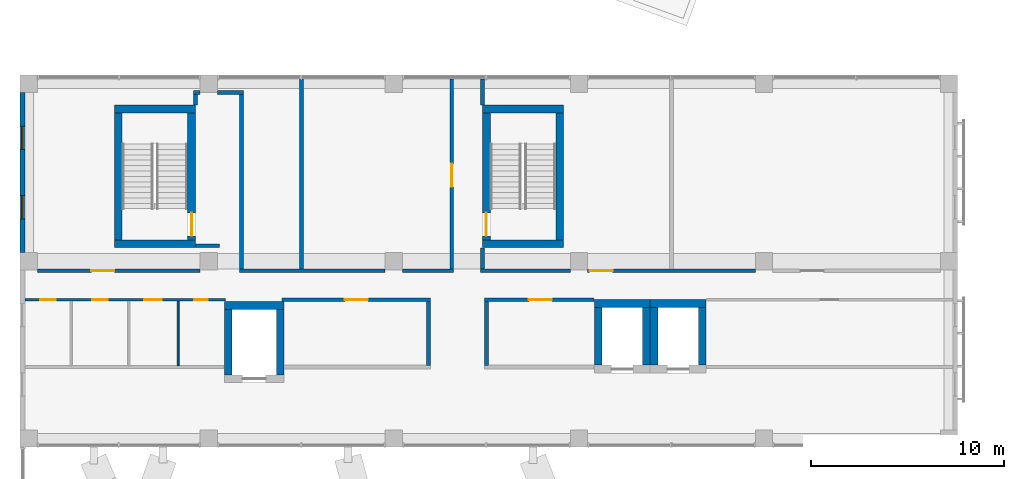
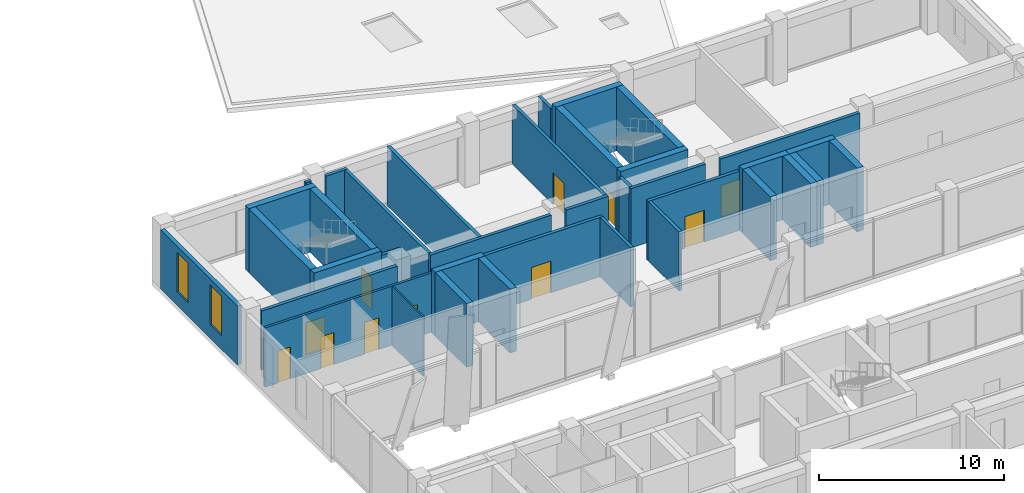
# One storey, part 28 of 36: 38 walls, 11 doors, 2 windows, 13 openings.
"""IFC4 building model written with IfcOpenShell, lengths in metres."""

from ifc_helpers import new_model, si_unit, direction, frame, frame_2d, origin, place, context, subcontext, project, spatial, rectangle, extrude, material, layer, layer_set, layer_usage, type_object, element, fill, save


model = new_model("IFC4")

# Units and contexts
model_context = context("Model", 3, precision=1e-05, world=origin(), true_north=direction((0.0, 1.0)))
body_context = subcontext(model_context, "Body", "Model", "MODEL_VIEW")
ifc_project = project(units=[si_unit("LENGTHUNIT", "METRE"), si_unit("AREAUNIT", "SQUARE_METRE"), si_unit("VOLUMEUNIT", "CUBIC_METRE"), si_unit("PLANEANGLEUNIT", "RADIAN"), si_unit("MASSUNIT", "GRAM", prefix="KILO")], contexts=[model_context])

# Site, building, storey
site_placement = place(None, origin())
site = spatial("IfcSite", under=ifc_project, at=site_placement, CompositionType="ELEMENT")
building_placement = place(site_placement, origin())
building = spatial("IfcBuilding", under=site, at=building_placement, Name="Nzadi Deep Aquarium and Research Tower", CompositionType="ELEMENT")
storey_placement = place(building_placement, frame((0.0, 0.0, 40.300048828125)))
storey = spatial("IfcBuildingStorey", under=building, at=storey_placement, Name="L07", CompositionType="ELEMENT", Elevation=40.300048828125)

# Wall, openings, windows
ifc_material_1 = material(Name="Concrete C35/45", Category="concrete")
ifc_layer_1 = layer(ifc_material_1, 0.14990234375, Category="cladding")
ifc_material_2 = material(Name="Mineral wool insulation")
ifc_layer_2 = layer(ifc_material_2, 0.070068359375, Category="insulation")
ifc_material_3 = material(Name="Gypsum board lining")
ifc_layer_3 = layer(ifc_material_3, 0.030029296875, Category="lining")
ifc_layer_set_1 = layer_set([ifc_layer_1, ifc_layer_2, ifc_layer_3], Name="Concrete C35/45, Mineral wool insulation, Gypsum board lining")
ifc_layer_usage = layer_usage(ifc_layer_set_1, "AXIS2", "POSITIVE", -0.125)
wall_type_1 = type_object("IfcWallType", Name="End wall board-formed concrete 250", PredefinedType="ELEMENTEDWALL", material=ifc_layer_set_1)
wall_1_placement = place(storey_placement, frame((-0.074462890625, 45.550048828125, 0.0), z_axis=(0.0, 0.0, 1.0), x_axis=(0.0, -1.0, 0.0)))
wall_1 = element("IfcWall", 1, at=wall_1_placement, inside=storey, type_object=wall_type_1, material=ifc_layer_usage, Name="End wall blade B west L07", PredefinedType="ELEMENTEDWALL", context=body_context, shape_type="SweptSolid", body=[
    extrude(rectangle(XDim=8.300048828125, YDim=0.25, at=frame_2d((4.14990234375, 0.0))), origin(), (0.0, 0.0, 1.0), 3.89990234375),
])
opening_1_placement = place(wall_1_placement, frame((5.35009765625, 0.0, 0.89990234375)))
opening_1 = element("IfcOpeningElement", 2, at=opening_1_placement, cuts=wall_1, Name="Opening WN04", PredefinedType="OPENING", context=body_context, shape_type="SweptSolid", body=[
    extrude(rectangle(XDim=1.199951171875, YDim=2.60009765625, at=frame_2d((0.60009765625, 1.300048828125))), frame((0.0, 0.135009765625, 0.0), z_axis=(0.0, -1.0, 0.0), x_axis=(1.0, 0.0, 0.0)), (0.0, 0.0, 1.0), 0.27001953125),
])
opening_2_placement = place(wall_1_placement, frame((1.75, 0.0, 0.89990234375)))
opening_2 = element("IfcOpeningElement", 3, at=opening_2_placement, cuts=wall_1, Name="Opening WN04", PredefinedType="OPENING", context=body_context, shape_type="SweptSolid", body=[
    extrude(rectangle(XDim=1.199951171875, YDim=2.60009765625, at=frame_2d((0.60009765625, 1.300048828125))), frame((0.0, 0.135009765625, 0.0), z_axis=(0.0, -1.0, 0.0), x_axis=(1.0, 0.0, 0.0)), (0.0, 0.0, 1.0), 0.27001953125),
])
ifc_material_4 = material(Name="Aluminium window, sage tint glazing", Category="aluminium")
window_type = type_object("IfcWindowType", Name="Slot window 1200x2600 sill 900", PartitioningType="SINGLE_PANEL", PredefinedType="WINDOW", material=ifc_material_4)
window_1_placement = place(opening_1_placement, origin())
window_1 = element("IfcWindow", 4, at=window_1_placement, inside=storey, type_object=window_type, Name="Slot window L07 BW", OverallHeight=2.60009765625, OverallWidth=1.199951171875, PartitioningType="SINGLE_PANEL", PredefinedType="WINDOW", context=body_context, shape_type="SweptSolid", body=[
    extrude(rectangle(XDim=1.199951171875, YDim=2.60009765625, at=frame_2d((0.60009765625, 1.300048828125))), frame((0.0, 0.030029296875, 0.0), z_axis=(0.0, -1.0, 0.0), x_axis=(1.0, 0.0, 0.0)), (0.0, 0.0, 1.0), 0.06005859375),
])
fill(opening_1, window_1)
window_2_placement = place(opening_2_placement, origin())
window_2 = element("IfcWindow", 5, at=window_2_placement, inside=storey, type_object=window_type, Name="Slot window L07 BW", OverallHeight=2.60009765625, OverallWidth=1.199951171875, PartitioningType="SINGLE_PANEL", PredefinedType="WINDOW", context=body_context, shape_type="SweptSolid", body=[
    extrude(rectangle(XDim=1.199951171875, YDim=2.60009765625, at=frame_2d((0.60009765625, 1.300048828125))), frame((0.0, 0.030029296875, 0.0), z_axis=(0.0, -1.0, 0.0), x_axis=(1.0, 0.0, 0.0)), (0.0, 0.0, 1.0), 0.06005859375),
])
fill(opening_2, window_2)

# Wall
ifc_material_5 = material(Name="Blockwork masonry", Category="masonry")
ifc_layer_4 = layer(ifc_material_5, 0.10009765625)
ifc_layer_set_2 = layer_set([ifc_layer_4], Name="Blockwork masonry")
wall_type_2 = type_object("IfcWallType", Name="Partition 100 EI 30", PredefinedType="PARTITIONING", material=ifc_layer_set_2)
wall_2_placement = place(storey_placement, frame((8.0, 31.375, 0.0), z_axis=(0.0, 0.0, 1.0), x_axis=(0.0, 1.0, 0.0)))
element("IfcWall", 6, at=wall_2_placement, inside=storey, type_object=wall_type_2, Name="W-Z1-L07-P011", PredefinedType="PARTITIONING", context=body_context, shape_type="SweptSolid", body=[
    extrude(rectangle(XDim=3.35009765625, YDim=0.10009765625, at=frame_2d((1.675048828125, 0.0))), origin(), (0.0, 0.0, 1.0), 3.89990234375),
])

# Wall, openings, doors
ifc_material_6 = material(Name="Blockwork masonry", Category="masonry")
ifc_layer_5 = layer(ifc_material_6, 0.14990234375)
ifc_layer_set_3 = layer_set([ifc_layer_5], Name="Blockwork masonry")
wall_type_3 = type_object("IfcWallType", Name="Partition 150 EI 60", PredefinedType="PARTITIONING", material=ifc_layer_set_3)
wall_3_placement = place(storey_placement, frame((0.055908203125, 34.800048828125, 0.0), z_axis=(0.0, 0.0, 1.0), x_axis=(1.0, 0.0, 0.0)))
wall_3 = element("IfcWall", 7, at=wall_3_placement, inside=storey, type_object=wall_type_3, Name="W-Z1-L07-P002", PredefinedType="PARTITIONING", context=body_context, shape_type="SweptSolid", body=[
    extrude(rectangle(XDim=10.419189453125, YDim=0.14990234375, at=frame_2d((5.20947265625, 0.0))), origin(), (0.0, 0.0, 1.0), 3.89990234375),
])
opening_3_placement = place(wall_3_placement, frame((0.7939453125, 0.0, 0.0)))
opening_3 = element("IfcOpeningElement", 8, at=opening_3_placement, cuts=wall_3, Name="Opening D081012", PredefinedType="OPENING", context=body_context, shape_type="SweptSolid", body=[
    extrude(rectangle(XDim=0.800048828125, YDim=2.10009765625, at=frame_2d((0.39990234375, 1.050048828125))), frame((0.0, 0.0849609375, 0.0), z_axis=(0.0, -1.0, 0.0), x_axis=(1.0, 0.0, 0.0)), (0.0, 0.0, 1.0), 0.169921875),
])
opening_4_placement = place(wall_3_placement, frame((3.493896484375, 0.0, 0.0)))
opening_4 = element("IfcOpeningElement", 9, at=opening_4_placement, cuts=wall_3, Name="Opening D081013", PredefinedType="OPENING", context=body_context, shape_type="SweptSolid", body=[
    extrude(rectangle(XDim=0.800048828125, YDim=2.10009765625, at=frame_2d((0.39990234375, 1.050048828125))), frame((0.0, 0.0849609375, 0.0), z_axis=(0.0, -1.0, 0.0), x_axis=(1.0, 0.0, 0.0)), (0.0, 0.0, 1.0), 0.169921875),
])
opening_5_placement = place(wall_3_placement, frame((6.194091796875, 0.0, 0.0)))
opening_5 = element("IfcOpeningElement", 10, at=opening_5_placement, cuts=wall_3, Name="Opening D081014", PredefinedType="OPENING", context=body_context, shape_type="SweptSolid", body=[
    extrude(rectangle(XDim=0.89990234375, YDim=2.10009765625, at=frame_2d((0.449951171875, 1.050048828125))), frame((0.0, 0.0849609375, 0.0), z_axis=(0.0, -1.0, 0.0), x_axis=(1.0, 0.0, 0.0)), (0.0, 0.0, 1.0), 0.169921875),
])
opening_6_placement = place(wall_3_placement, frame((8.7939453125, 0.0, 0.0)))
opening_6 = element("IfcOpeningElement", 11, at=opening_6_placement, cuts=wall_3, Name="Opening D081015", PredefinedType="OPENING", context=body_context, shape_type="SweptSolid", body=[
    extrude(rectangle(XDim=0.699951171875, YDim=2.10009765625, at=frame_2d((0.35009765625, 1.050048828125))), frame((0.0, 0.0849609375, 0.0), z_axis=(0.0, -1.0, 0.0), x_axis=(1.0, 0.0, 0.0)), (0.0, 0.0, 1.0), 0.169921875),
])
ifc_material_7 = material(Name="Fire-rated steel door", Category="steel")
ifc_layer_6 = layer(ifc_material_7, 0.050048828125)
ifc_layer_set_4 = layer_set([ifc_layer_6], Name="Fire-rated steel door")
door_type_1 = type_object("IfcDoorType", Name="Door 700x2100 EI 60 single", OperationType="SINGLE_SWING_LEFT", PredefinedType="DOOR", material=ifc_layer_set_4)
door_1_placement = place(opening_6_placement, origin())
door_1 = element("IfcDoor", 12, at=door_1_placement, inside=storey, type_object=door_type_1, Name="D081015", OperationType="SINGLE_SWING_LEFT", OverallHeight=2.10009765625, OverallWidth=0.699951171875, PredefinedType="DOOR", context=body_context, shape_type="SweptSolid", body=[
    extrude(rectangle(XDim=0.699951171875, YDim=2.10009765625, at=frame_2d((0.35009765625, 1.050048828125))), frame((0.0, 0.02490234375, 0.0), z_axis=(0.0, -1.0, 0.0), x_axis=(1.0, 0.0, 0.0)), (0.0, 0.0, 1.0), 0.050048828125),
])
fill(opening_6, door_1)
ifc_material_8 = material(Name="Fire-rated steel door", Category="steel")
ifc_layer_7 = layer(ifc_material_8, 0.050048828125)
ifc_layer_set_5 = layer_set([ifc_layer_7], Name="Fire-rated steel door")
door_type_2 = type_object("IfcDoorType", Name="Door 800x2100 EI 60 single", OperationType="SINGLE_SWING_LEFT", PredefinedType="DOOR", material=ifc_layer_set_5)
door_2_placement = place(opening_3_placement, origin())
door_2 = element("IfcDoor", 13, at=door_2_placement, inside=storey, type_object=door_type_2, Name="D081012", OperationType="SINGLE_SWING_RIGHT", OverallHeight=2.10009765625, OverallWidth=0.800048828125, PredefinedType="DOOR", context=body_context, shape_type="SweptSolid", body=[
    extrude(rectangle(XDim=0.800048828125, YDim=2.10009765625, at=frame_2d((0.39990234375, 1.050048828125))), frame((0.0, 0.02490234375, 0.0), z_axis=(0.0, -1.0, 0.0), x_axis=(1.0, 0.0, 0.0)), (0.0, 0.0, 1.0), 0.050048828125),
])
fill(opening_3, door_2)
door_3_placement = place(opening_4_placement, origin())
door_3 = element("IfcDoor", 14, at=door_3_placement, inside=storey, type_object=door_type_2, Name="D081013", OperationType="SINGLE_SWING_LEFT", OverallHeight=2.10009765625, OverallWidth=0.800048828125, PredefinedType="DOOR", context=body_context, shape_type="SweptSolid", body=[
    extrude(rectangle(XDim=0.800048828125, YDim=2.10009765625, at=frame_2d((0.39990234375, 1.050048828125))), frame((0.0, 0.02490234375, 0.0), z_axis=(0.0, -1.0, 0.0), x_axis=(1.0, 0.0, 0.0)), (0.0, 0.0, 1.0), 0.050048828125),
])
fill(opening_4, door_3)
ifc_material_9 = material(Name="Fire-rated steel door", Category="steel")
ifc_layer_8 = layer(ifc_material_9, 0.050048828125)
ifc_layer_set_6 = layer_set([ifc_layer_8], Name="Fire-rated steel door")
door_type_3 = type_object("IfcDoorType", Name="Door 900x2100 EI 60 single", OperationType="SINGLE_SWING_LEFT", PredefinedType="DOOR", material=ifc_layer_set_6)
door_4_placement = place(opening_5_placement, origin())
door_4 = element("IfcDoor", 15, at=door_4_placement, inside=storey, type_object=door_type_3, Name="D081014", OperationType="SINGLE_SWING_LEFT", OverallHeight=2.10009765625, OverallWidth=0.89990234375, PredefinedType="DOOR", context=body_context, shape_type="SweptSolid", body=[
    extrude(rectangle(XDim=0.89990234375, YDim=2.10009765625, at=frame_2d((0.449951171875, 1.050048828125))), frame((0.0, 0.02490234375, 0.0), z_axis=(0.0, -1.0, 0.0), x_axis=(1.0, 0.0, 0.0)), (0.0, 0.0, 1.0), 0.050048828125),
])
fill(opening_5, door_4)

# Wall, opening, door
ifc_material_10 = material(Name="Blockwork masonry", Category="masonry")
ifc_layer_9 = layer(ifc_material_10, 0.199951171875)
ifc_layer_set_7 = layer_set([ifc_layer_9], Name="Blockwork masonry")
wall_type_4 = type_object("IfcWallType", Name="Partition 200 EI 120", PredefinedType="PARTITIONING", material=ifc_layer_set_7)
wall_4_placement = place(storey_placement, frame((0.699951171875, 36.300048828125, 0.0), z_axis=(0.0, 0.0, 1.0), x_axis=(1.0, 0.0, 0.0)))
wall_4 = element("IfcWall", 16, at=wall_4_placement, inside=storey, type_object=wall_type_4, Name="W-Z1-L07-P003", PredefinedType="PARTITIONING", context=body_context, shape_type="SweptSolid", body=[
    extrude(rectangle(XDim=8.449951171875, YDim=0.199951171875, at=frame_2d((4.22509765625, 0.0))), origin(), (0.0, 0.0, 1.0), 3.89990234375),
])
opening_7_placement = place(wall_4_placement, frame((2.800048828125, 0.0, 0.0)))
opening_7 = element("IfcOpeningElement", 17, at=opening_7_placement, cuts=wall_4, Name="Opening D081019", PredefinedType="OPENING", context=body_context, shape_type="SweptSolid", body=[
    extrude(rectangle(XDim=1.199951171875, YDim=2.10009765625, at=frame_2d((0.60009765625, 1.050048828125))), frame((0.0, 0.110107421875, 0.0), z_axis=(0.0, -1.0, 0.0), x_axis=(1.0, 0.0, 0.0)), (0.0, 0.0, 1.0), 0.22021484375),
])
ifc_material_11 = material(Name="Fire-rated steel door", Category="steel")
ifc_layer_10 = layer(ifc_material_11, 0.050048828125)
ifc_layer_set_8 = layer_set([ifc_layer_10], Name="Fire-rated steel door")
door_type_4 = type_object("IfcDoorType", Name="Door 1200x2100 EI 120 single", OperationType="SINGLE_SWING_LEFT", PredefinedType="DOOR", material=ifc_layer_set_8)
door_5_placement = place(opening_7_placement, origin())
door_5 = element("IfcDoor", 18, at=door_5_placement, inside=storey, type_object=door_type_4, Name="D081019", OperationType="SINGLE_SWING_RIGHT", OverallHeight=2.10009765625, OverallWidth=1.199951171875, PredefinedType="DOOR", context=body_context, shape_type="SweptSolid", body=[
    extrude(rectangle(XDim=1.199951171875, YDim=2.10009765625, at=frame_2d((0.60009765625, 1.050048828125))), frame((0.0, 0.02490234375, 0.0), z_axis=(0.0, -1.0, 0.0), x_axis=(1.0, 0.0, 0.0)), (0.0, 0.0, 1.0), 0.050048828125),
])
fill(opening_7, door_5)

# Walls
wall_5_placement = place(storey_placement, frame((8.89990234375, 44.906005859375, 0.0), z_axis=(0.0, 0.0, 1.0), x_axis=(0.0, 1.0, 0.0)))
element("IfcWall", 19, at=wall_5_placement, inside=storey, type_object=wall_type_4, Name="W-Z1-L07-P013", PredefinedType="PARTITIONING", context=body_context, shape_type="SweptSolid", body=[
    extrude(rectangle(XDim=0.5439453125, YDim=0.199951171875, at=frame_2d((0.27197265625, 0.0))), origin(), (0.0, 0.0, 1.0), 3.89990234375),
])
wall_6_placement = place(storey_placement, frame((8.800048828125, 45.550048828125, 0.0), z_axis=(0.0, 0.0, 1.0), x_axis=(1.0, 0.0, 0.0)))
element("IfcWall", 20, at=wall_6_placement, inside=storey, type_object=wall_type_4, Name="W-Z1-L07-P014", PredefinedType="PARTITIONING", context=body_context, shape_type="SweptSolid", body=[
    extrude(rectangle(XDim=0.349853515625, YDim=0.199951171875, at=frame_2d((0.1748046875, 0.0))), origin(), (0.0, 0.0, 1.0), 3.89990234375),
])
wall_7_placement = place(storey_placement, frame((8.906005859375, 37.60009765625, 0.0), z_axis=(0.0, 0.0, 1.0), x_axis=(1.0, 0.0, 0.0)))
element("IfcWall", 21, at=wall_7_placement, inside=storey, type_object=wall_type_4, Name="W-Z1-L07-P015", PredefinedType="PARTITIONING", context=body_context, shape_type="SweptSolid", body=[
    extrude(rectangle(XDim=1.243896484375, YDim=0.199951171875, at=frame_2d((0.6220703125, 0.0))), origin(), (0.0, 0.0, 1.0), 3.89990234375),
])
wall_8_placement = place(storey_placement, frame((10.050048828125, 45.550048828125, 0.0), z_axis=(0.0, 0.0, 1.0), x_axis=(1.0, 0.0, 0.0)))
element("IfcWall", 22, at=wall_8_placement, inside=storey, type_object=wall_type_4, Name="W-Z1-L07-P017", PredefinedType="PARTITIONING", context=body_context, shape_type="SweptSolid", body=[
    extrude(rectangle(XDim=1.349853515625, YDim=0.199951171875, at=frame_2d((0.6748046875, 0.0))), origin(), (0.0, 0.0, 1.0), 3.89990234375),
])
wall_9_placement = place(storey_placement, frame((11.199951171875, 36.300048828125, 0.0), z_axis=(0.0, 0.0, 1.0), x_axis=(1.0, 0.0, 0.0)))
element("IfcWall", 23, at=wall_9_placement, inside=storey, type_object=wall_type_4, Name="W-Z1-L07-P019", PredefinedType="PARTITIONING", context=body_context, shape_type="SweptSolid", body=[
    extrude(rectangle(XDim=7.550048828125, YDim=0.199951171875, at=frame_2d((3.77490234375, 0.0))), origin(), (0.0, 0.0, 1.0), 3.89990234375),
])
wall_10_placement = place(storey_placement, frame((11.300048828125, 36.39990234375, 0.0), z_axis=(0.0, 0.0, 1.0), x_axis=(0.0, 1.0, 0.0)))
element("IfcWall", 24, at=wall_10_placement, inside=storey, type_object=wall_type_4, Name="W-Z1-L07-P020", PredefinedType="PARTITIONING", context=body_context, shape_type="SweptSolid", body=[
    extrude(rectangle(XDim=9.050048828125, YDim=0.199951171875, at=frame_2d((4.52490234375, 0.0))), origin(), (0.0, 0.0, 1.0), 3.89990234375),
])

# Wall, opening, door
wall_11_placement = place(storey_placement, frame((13.39990234375, 34.800048828125, 0.0), z_axis=(0.0, 0.0, 1.0), x_axis=(1.0, 0.0, 0.0)))
wall_11 = element("IfcWall", 25, at=wall_11_placement, inside=storey, type_object=wall_type_4, Name="W-Z1-L07-P021", PredefinedType="PARTITIONING", context=body_context, shape_type="SweptSolid", body=[
    extrude(rectangle(XDim=7.7001953125, YDim=0.199951171875, at=frame_2d((3.85009765625, 0.0))), origin(), (0.0, 0.0, 1.0), 3.89990234375),
])
opening_8_placement = place(wall_11_placement, frame((3.25, 0.0, 0.0)))
opening_8 = element("IfcOpeningElement", 26, at=opening_8_placement, cuts=wall_11, Name="Opening D081016", PredefinedType="OPENING", context=body_context, shape_type="SweptSolid", body=[
    extrude(rectangle(XDim=1.199951171875, YDim=2.10009765625, at=frame_2d((0.60009765625, 1.050048828125))), frame((0.0, 0.110107421875, 0.0), z_axis=(0.0, -1.0, 0.0), x_axis=(1.0, 0.0, 0.0)), (0.0, 0.0, 1.0), 0.22021484375),
])
door_6_placement = place(opening_8_placement, origin())
door_6 = element("IfcDoor", 27, at=door_6_placement, inside=storey, type_object=door_type_4, Name="D081016", OperationType="SINGLE_SWING_RIGHT", OverallHeight=2.10009765625, OverallWidth=1.199951171875, PredefinedType="DOOR", context=body_context, shape_type="SweptSolid", body=[
    extrude(rectangle(XDim=1.199951171875, YDim=2.10009765625, at=frame_2d((0.60009765625, 1.050048828125))), frame((0.0, 0.02490234375, 0.0), z_axis=(0.0, -1.0, 0.0), x_axis=(1.0, 0.0, 0.0)), (0.0, 0.0, 1.0), 0.050048828125),
])
fill(opening_8, door_6)

# Walls
wall_12_placement = place(storey_placement, frame((14.39990234375, 36.39990234375, 0.0), z_axis=(0.0, 0.0, 1.0), x_axis=(0.0, 1.0, 0.0)))
element("IfcWall", 28, at=wall_12_placement, inside=storey, type_object=wall_type_4, Name="W-Z1-L07-P024", PredefinedType="PARTITIONING", context=body_context, shape_type="SweptSolid", body=[
    extrude(rectangle(XDim=9.843994140625, YDim=0.199951171875, at=frame_2d((4.921875, 0.0))), origin(), (0.0, 0.0, 1.0), 3.89990234375),
])
wall_13_placement = place(storey_placement, frame((19.64990234375, 36.300048828125, 0.0), z_axis=(0.0, 0.0, 1.0), x_axis=(1.0, 0.0, 0.0)))
element("IfcWall", 29, at=wall_13_placement, inside=storey, type_object=wall_type_4, Name="W-Z1-L07-P025", PredefinedType="PARTITIONING", context=body_context, shape_type="SweptSolid", body=[
    extrude(rectangle(XDim=2.650146484375, YDim=0.199951171875, at=frame_2d((1.3251953125, 0.0))), origin(), (0.0, 0.0, 1.0), 3.89990234375),
])
wall_14_placement = place(storey_placement, frame((21.0, 31.39990234375, 0.0), z_axis=(0.0, 0.0, 1.0), x_axis=(0.0, 1.0, 0.0)))
element("IfcWall", 30, at=wall_14_placement, inside=storey, type_object=wall_type_4, Name="W-Z1-L07-P026", PredefinedType="PARTITIONING", context=body_context, shape_type="SweptSolid", body=[
    extrude(rectangle(XDim=3.300048828125, YDim=0.199951171875, at=frame_2d((1.64990234375, 0.0))), origin(), (0.0, 0.0, 1.0), 3.89990234375),
])

# Wall, opening, door
wall_15_placement = place(storey_placement, frame((22.199951171875, 36.39990234375, 0.0), z_axis=(0.0, 0.0, 1.0), x_axis=(0.0, 1.0, 0.0)))
wall_15 = element("IfcWall", 31, at=wall_15_placement, inside=storey, type_object=wall_type_4, Name="W-Z1-L07-P027", PredefinedType="PARTITIONING", context=body_context, shape_type="SweptSolid", body=[
    extrude(rectangle(XDim=9.843994140625, YDim=0.199951171875, at=frame_2d((4.921875, 0.0))), origin(), (0.0, 0.0, 1.0), 3.89990234375),
])
opening_9_placement = place(wall_15_placement, frame((4.25, 0.0, 0.0)))
opening_9 = element("IfcOpeningElement", 32, at=opening_9_placement, cuts=wall_15, Name="Opening D081020", PredefinedType="OPENING", context=body_context, shape_type="SweptSolid", body=[
    extrude(rectangle(XDim=1.199951171875, YDim=2.10009765625, at=frame_2d((0.60009765625, 1.050048828125))), frame((0.0, 0.110107421875, 0.0), z_axis=(0.0, -1.0, 0.0), x_axis=(1.0, 0.0, 0.0)), (0.0, 0.0, 1.0), 0.22021484375),
])
door_7_placement = place(opening_9_placement, origin())
door_7 = element("IfcDoor", 33, at=door_7_placement, inside=storey, type_object=door_type_4, Name="D081020", OperationType="SINGLE_SWING_RIGHT", OverallHeight=2.10009765625, OverallWidth=1.199951171875, PredefinedType="DOOR", context=body_context, shape_type="SweptSolid", body=[
    extrude(rectangle(XDim=1.199951171875, YDim=2.10009765625, at=frame_2d((0.60009765625, 1.050048828125))), frame((0.0, 0.02490234375, 0.0), z_axis=(0.0, -1.0, 0.0), x_axis=(1.0, 0.0, 0.0)), (0.0, 0.0, 1.0), 0.050048828125),
])
fill(opening_9, door_7)

# Walls
wall_16_placement = place(storey_placement, frame((23.699951171875, 36.300048828125, 0.0), z_axis=(0.0, 0.0, 1.0), x_axis=(1.0, 0.0, 0.0)))
element("IfcWall", 34, at=wall_16_placement, inside=storey, type_object=wall_type_4, Name="W-Z1-L07-P028", PredefinedType="PARTITIONING", context=body_context, shape_type="SweptSolid", body=[
    extrude(rectangle(XDim=4.650146484375, YDim=0.199951171875, at=frame_2d((2.3251953125, 0.0))), origin(), (0.0, 0.0, 1.0), 3.89990234375),
])
wall_17_placement = place(storey_placement, frame((23.800048828125, 36.39990234375, 0.0), z_axis=(0.0, 0.0, 1.0), x_axis=(0.0, 1.0, 0.0)))
element("IfcWall", 35, at=wall_17_placement, inside=storey, type_object=wall_type_4, Name="W-Z1-L07-P029", PredefinedType="PARTITIONING", context=body_context, shape_type="SweptSolid", body=[
    extrude(rectangle(XDim=1.093994140625, YDim=0.199951171875, at=frame_2d((0.546875, 0.0))), origin(), (0.0, 0.0, 1.0), 3.89990234375),
])
wall_18_placement = place(storey_placement, frame((23.800048828125, 44.906005859375, 0.0), z_axis=(0.0, 0.0, 1.0), x_axis=(0.0, 1.0, 0.0)))
element("IfcWall", 36, at=wall_18_placement, inside=storey, type_object=wall_type_4, Name="W-Z1-L07-P030", PredefinedType="PARTITIONING", context=body_context, shape_type="SweptSolid", body=[
    extrude(rectangle(XDim=1.337890625, YDim=0.199951171875, at=frame_2d((0.6689453125, 0.0))), origin(), (0.0, 0.0, 1.0), 3.89990234375),
])
wall_19_placement = place(storey_placement, frame((24.0, 31.39990234375, 0.0), z_axis=(0.0, 0.0, 1.0), x_axis=(0.0, 1.0, 0.0)))
element("IfcWall", 37, at=wall_19_placement, inside=storey, type_object=wall_type_4, Name="W-Z1-L07-P032", PredefinedType="PARTITIONING", context=body_context, shape_type="SweptSolid", body=[
    extrude(rectangle(XDim=3.300048828125, YDim=0.199951171875, at=frame_2d((1.64990234375, 0.0))), origin(), (0.0, 0.0, 1.0), 3.89990234375),
])

# Wall, opening, door
wall_20_placement = place(storey_placement, frame((23.89990234375, 34.800048828125, 0.0), z_axis=(0.0, 0.0, 1.0), x_axis=(1.0, 0.0, 0.0)))
wall_20 = element("IfcWall", 38, at=wall_20_placement, inside=storey, type_object=wall_type_4, Name="W-Z1-L07-P033", PredefinedType="PARTITIONING", context=body_context, shape_type="SweptSolid", body=[
    extrude(rectangle(XDim=5.694091796875, YDim=0.199951171875, at=frame_2d((2.84716796875, 0.0))), origin(), (0.0, 0.0, 1.0), 3.89990234375),
])
opening_10_placement = place(wall_20_placement, frame((2.300048828125, 0.0, 0.0)))
opening_10 = element("IfcOpeningElement", 39, at=opening_10_placement, cuts=wall_20, Name="Opening D081017", PredefinedType="OPENING", context=body_context, shape_type="SweptSolid", body=[
    extrude(rectangle(XDim=1.199951171875, YDim=2.10009765625, at=frame_2d((0.60009765625, 1.050048828125))), frame((0.0, 0.110107421875, 0.0), z_axis=(0.0, -1.0, 0.0), x_axis=(1.0, 0.0, 0.0)), (0.0, 0.0, 1.0), 0.22021484375),
])
door_8_placement = place(opening_10_placement, origin())
door_8 = element("IfcDoor", 40, at=door_8_placement, inside=storey, type_object=door_type_4, Name="D081017", OperationType="SINGLE_SWING_LEFT", OverallHeight=2.10009765625, OverallWidth=1.199951171875, PredefinedType="DOOR", context=body_context, shape_type="SweptSolid", body=[
    extrude(rectangle(XDim=1.199951171875, YDim=2.10009765625, at=frame_2d((0.60009765625, 1.050048828125))), frame((0.0, 0.02490234375, 0.0), z_axis=(0.0, -1.0, 0.0), x_axis=(1.0, 0.0, 0.0)), (0.0, 0.0, 1.0), 0.050048828125),
])
fill(opening_10, door_8)

wall_21_placement = place(storey_placement, frame((29.25, 36.300048828125, 0.0), z_axis=(0.0, 0.0, 1.0), x_axis=(1.0, 0.0, 0.0)))
wall_21 = element("IfcWall", 41, at=wall_21_placement, inside=storey, type_object=wall_type_4, Name="W-Z1-L07-P036", PredefinedType="PARTITIONING", context=body_context, shape_type="SweptSolid", body=[
    extrude(rectangle(XDim=8.699951171875, YDim=0.199951171875, at=frame_2d((4.35009765625, 0.0))), origin(), (0.0, 0.0, 1.0), 3.89990234375),
])
opening_11_placement = place(wall_21_placement, frame((0.10009765625, 0.0, 0.0)))
opening_11 = element("IfcOpeningElement", 42, at=opening_11_placement, cuts=wall_21, Name="Opening D081021", PredefinedType="OPENING", context=body_context, shape_type="SweptSolid", body=[
    extrude(rectangle(XDim=1.199951171875, YDim=2.10009765625, at=frame_2d((0.60009765625, 1.050048828125))), frame((0.0, 0.110107421875, 0.0), z_axis=(0.0, -1.0, 0.0), x_axis=(1.0, 0.0, 0.0)), (0.0, 0.0, 1.0), 0.22021484375),
])
door_9_placement = place(opening_11_placement, origin())
door_9 = element("IfcDoor", 43, at=door_9_placement, inside=storey, type_object=door_type_4, Name="D081021", OperationType="SINGLE_SWING_LEFT", OverallHeight=2.10009765625, OverallWidth=1.199951171875, PredefinedType="DOOR", context=body_context, shape_type="SweptSolid", body=[
    extrude(rectangle(XDim=1.199951171875, YDim=2.10009765625, at=frame_2d((0.60009765625, 1.050048828125))), frame((0.0, 0.02490234375, 0.0), z_axis=(0.0, -1.0, 0.0), x_axis=(1.0, 0.0, 0.0)), (0.0, 0.0, 1.0), 0.050048828125),
])
fill(opening_11, door_9)

# Walls
ifc_material_12 = material(Name="Concrete C35/45", Category="concrete")
ifc_layer_11 = layer(ifc_material_12, 0.39990234375)
ifc_layer_set_9 = layer_set([ifc_layer_11], Name="Concrete C35/45")
wall_type_5 = type_object("IfcWallType", Name="RC core wall 400", PredefinedType="SHEAR", material=ifc_layer_set_9)
for number, where, z_axis, x_axis, name in (
    (44, (4.699951171875, 37.699951171875, 0.0), (0.0, 0.0, 1.0), (1.0, 0.0, 0.0), "W-CORE-ST-Z1-NW-L07-S"),
    (45, (4.699951171875, 44.699951171875, 0.0), (0.0, 0.0, 1.0), (1.0, 0.0, 0.0), "W-CORE-ST-Z1-NW-L07-N"),
):
    element("IfcWall", number, at=place(storey_placement, frame(where, z_axis=z_axis, x_axis=x_axis)), inside=storey, type_object=wall_type_5, Name=name, PredefinedType="SHEAR", context=body_context, shape_type="SweptSolid", body=[
        extrude(rectangle(XDim=4.199951171875, YDim=0.39990234375, at=frame_2d((2.10009765625, 0.0))), origin(), (0.0, 0.0, 1.0), 4.199951171875),
    ])
wall_22_placement = place(storey_placement, frame((4.89990234375, 37.89990234375, 0.0), z_axis=(0.0, 0.0, 1.0), x_axis=(0.0, 1.0, 0.0)))
element("IfcWall", 46, at=wall_22_placement, inside=storey, type_object=wall_type_5, Name="W-CORE-ST-Z1-NW-L07-W", PredefinedType="SHEAR", context=body_context, shape_type="SweptSolid", body=[
    extrude(rectangle(XDim=6.60009765625, YDim=0.39990234375, at=frame_2d((3.300048828125, 0.0))), origin(), (0.0, 0.0, 1.0), 4.199951171875),
])

# Wall, opening, door
wall_23_placement = place(storey_placement, frame((8.699951171875, 37.89990234375, 0.0), z_axis=(0.0, 0.0, 1.0), x_axis=(0.0, 1.0, 0.0)))
wall_23 = element("IfcWall", 47, at=wall_23_placement, inside=storey, type_object=wall_type_5, Name="W-CORE-ST-Z1-NW-L07-E", PredefinedType="SHEAR", context=body_context, shape_type="SweptSolid", body=[
    extrude(rectangle(XDim=6.60009765625, YDim=0.39990234375, at=frame_2d((3.300048828125, 0.0))), origin(), (0.0, 0.0, 1.0), 4.199951171875),
])
opening_12_placement = place(wall_23_placement, frame((0.2099609375, 0.0, 0.0)))
opening_12 = element("IfcOpeningElement", 48, at=opening_12_placement, cuts=wall_23, Name="Opening DS-Z1-NW-L07", PredefinedType="OPENING", context=body_context, shape_type="SweptSolid", body=[
    extrude(rectangle(XDim=1.199951171875, YDim=2.10009765625, at=frame_2d((0.60009765625, 1.050048828125))), frame((0.0, 0.2099609375, 0.0), z_axis=(0.0, -1.0, 0.0), x_axis=(1.0, 0.0, 0.0)), (0.0, 0.0, 1.0), 0.419921875),
])
ifc_material_13 = material(Name="Steel, powder coated", Category="steel")
door_type_5 = type_object("IfcDoorType", Name="STAIR DOOR 1200x2100 EI 60", OperationType="SINGLE_SWING_LEFT", PredefinedType="DOOR", material=ifc_material_13)
door_10_placement = place(opening_12_placement, origin())
door_10 = element("IfcDoor", 49, at=door_10_placement, inside=storey, type_object=door_type_5, Name="Stair door ST-Z1-NW L07", OperationType="SINGLE_SWING_RIGHT", OverallHeight=2.10009765625, OverallWidth=1.199951171875, PredefinedType="DOOR", context=body_context, shape_type="SweptSolid", body=[
    extrude(rectangle(XDim=1.199951171875, YDim=2.10009765625, at=frame_2d((0.60009765625, 1.050048828125))), frame((0.0, 0.02490234375, 0.0), z_axis=(0.0, -1.0, 0.0), x_axis=(1.0, 0.0, 0.0)), (0.0, 0.0, 1.0), 0.050048828125),
])
fill(opening_12, door_10)

# Walls
for number, where, z_axis, x_axis, name in (
    (50, (23.800048828125, 37.699951171875, 0.0), (0.0, 0.0, 1.0), (1.0, 0.0, 0.0), "W-CORE-ST-Z1-NE-L07-S"),
    (51, (23.800048828125, 44.699951171875, 0.0), (0.0, 0.0, 1.0), (1.0, 0.0, 0.0), "W-CORE-ST-Z1-NE-L07-N"),
):
    element("IfcWall", number, at=place(storey_placement, frame(where, z_axis=z_axis, x_axis=x_axis)), inside=storey, type_object=wall_type_5, Name=name, PredefinedType="SHEAR", context=body_context, shape_type="SweptSolid", body=[
        extrude(rectangle(XDim=4.199951171875, YDim=0.39990234375, at=frame_2d((2.10009765625, 0.0))), origin(), (0.0, 0.0, 1.0), 4.199951171875),
    ])

# Wall, opening, door
wall_24_placement = place(storey_placement, frame((24.0, 37.89990234375, 0.0), z_axis=(0.0, 0.0, 1.0), x_axis=(0.0, 1.0, 0.0)))
wall_24 = element("IfcWall", 52, at=wall_24_placement, inside=storey, type_object=wall_type_5, Name="W-CORE-ST-Z1-NE-L07-W", PredefinedType="SHEAR", context=body_context, shape_type="SweptSolid", body=[
    extrude(rectangle(XDim=6.60009765625, YDim=0.39990234375, at=frame_2d((3.300048828125, 0.0))), origin(), (0.0, 0.0, 1.0), 4.199951171875),
])
opening_13_placement = place(wall_24_placement, frame((0.2099609375, 0.0, 0.0)))
opening_13 = element("IfcOpeningElement", 53, at=opening_13_placement, cuts=wall_24, Name="Opening DS-Z1-NE-L07", PredefinedType="OPENING", context=body_context, shape_type="SweptSolid", body=[
    extrude(rectangle(XDim=1.199951171875, YDim=2.10009765625, at=frame_2d((0.60009765625, 1.050048828125))), frame((0.0, 0.2099609375, 0.0), z_axis=(0.0, -1.0, 0.0), x_axis=(1.0, 0.0, 0.0)), (0.0, 0.0, 1.0), 0.419921875),
])
door_11_placement = place(opening_13_placement, origin())
door_11 = element("IfcDoor", 54, at=door_11_placement, inside=storey, type_object=door_type_5, Name="Stair door ST-Z1-NE L07", OperationType="SINGLE_SWING_LEFT", OverallHeight=2.10009765625, OverallWidth=1.199951171875, PredefinedType="DOOR", context=body_context, shape_type="SweptSolid", body=[
    extrude(rectangle(XDim=1.199951171875, YDim=2.10009765625, at=frame_2d((0.60009765625, 1.050048828125))), frame((0.0, 0.02490234375, 0.0), z_axis=(0.0, -1.0, 0.0), x_axis=(1.0, 0.0, 0.0)), (0.0, 0.0, 1.0), 0.050048828125),
])
fill(opening_13, door_11)

# Walls
wall_25_placement = place(storey_placement, frame((27.800048828125, 37.89990234375, 0.0), z_axis=(0.0, 0.0, 1.0), x_axis=(0.0, 1.0, 0.0)))
element("IfcWall", 55, at=wall_25_placement, inside=storey, type_object=wall_type_5, Name="W-CORE-ST-Z1-NE-L07-E", PredefinedType="SHEAR", context=body_context, shape_type="SweptSolid", body=[
    extrude(rectangle(XDim=6.60009765625, YDim=0.39990234375, at=frame_2d((3.300048828125, 0.0))), origin(), (0.0, 0.0, 1.0), 4.199951171875),
])
wall_26_placement = place(storey_placement, frame((10.39990234375, 34.5, 0.0), z_axis=(0.0, 0.0, 1.0), x_axis=(1.0, 0.0, 0.0)))
element("IfcWall", 56, at=wall_26_placement, inside=storey, type_object=wall_type_5, Name="W-CORE-FL2-L07-N", PredefinedType="SHEAR", context=body_context, shape_type="SweptSolid", body=[
    extrude(rectangle(XDim=3.10009765625, YDim=0.39990234375, at=frame_2d((1.550048828125, 0.0))), origin(), (0.0, 0.0, 1.0), 4.199951171875),
])
for number, where, z_axis, x_axis, name in (
    (57, (10.60009765625, 30.89990234375, 0.0), (0.0, 0.0, 1.0), (0.0, 1.0, 0.0), "W-CORE-FL2-L07-W"),
    (58, (13.300048828125, 30.89990234375, 0.0), (0.0, 0.0, 1.0), (0.0, 1.0, 0.0), "W-CORE-FL2-L07-E"),
):
    element("IfcWall", number, at=place(storey_placement, frame(where, z_axis=z_axis, x_axis=x_axis)), inside=storey, type_object=wall_type_5, Name=name, PredefinedType="SHEAR", context=body_context, shape_type="SweptSolid", body=[
        extrude(rectangle(XDim=3.400146484375, YDim=0.39990234375, at=frame_2d((1.7001953125, 0.0))), origin(), (0.0, 0.0, 1.0), 4.199951171875),
    ])
wall_27_placement = place(storey_placement, frame((29.60009765625, 34.60009765625, 0.0), z_axis=(0.0, 0.0, 1.0), x_axis=(1.0, 0.0, 0.0)))
element("IfcWall", 59, at=wall_27_placement, inside=storey, type_object=wall_type_5, Name="W-CORE-TL3-L07-N", PredefinedType="SHEAR", context=body_context, shape_type="SweptSolid", body=[
    extrude(rectangle(XDim=2.89990234375, YDim=0.39990234375, at=frame_2d((1.449951171875, 0.0))), origin(), (0.0, 0.0, 1.0), 4.199951171875),
])
for number, where, z_axis, x_axis, name in (
    (60, (29.800048828125, 31.39990234375, 0.0), (0.0, 0.0, 1.0), (0.0, 1.0, 0.0), "W-CORE-TL3-L07-W"),
    (61, (32.300048828125, 31.39990234375, 0.0), (0.0, 0.0, 1.0), (0.0, 1.0, 0.0), "W-CORE-TL3-L07-E"),
):
    element("IfcWall", number, at=place(storey_placement, frame(where, z_axis=z_axis, x_axis=x_axis)), inside=storey, type_object=wall_type_5, Name=name, PredefinedType="SHEAR", context=body_context, shape_type="SweptSolid", body=[
        extrude(rectangle(XDim=3.0, YDim=0.39990234375, at=frame_2d((1.5, 0.0))), origin(), (0.0, 0.0, 1.0), 4.199951171875),
    ])
wall_28_placement = place(storey_placement, frame((32.5, 34.60009765625, 0.0), z_axis=(0.0, 0.0, 1.0), x_axis=(1.0, 0.0, 0.0)))
element("IfcWall", 62, at=wall_28_placement, inside=storey, type_object=wall_type_5, Name="W-CORE-TL4-L07-N", PredefinedType="SHEAR", context=body_context, shape_type="SweptSolid", body=[
    extrude(rectangle(XDim=2.89990234375, YDim=0.39990234375, at=frame_2d((1.449951171875, 0.0))), origin(), (0.0, 0.0, 1.0), 4.199951171875),
])
for number, where, z_axis, x_axis, name in (
    (63, (32.699951171875, 31.39990234375, 0.0), (0.0, 0.0, 1.0), (0.0, 1.0, 0.0), "W-CORE-TL4-L07-W"),
    (64, (35.199951171875, 31.39990234375, 0.0), (0.0, 0.0, 1.0), (0.0, 1.0, 0.0), "W-CORE-TL4-L07-E"),
):
    element("IfcWall", number, at=place(storey_placement, frame(where, z_axis=z_axis, x_axis=x_axis)), inside=storey, type_object=wall_type_5, Name=name, PredefinedType="SHEAR", context=body_context, shape_type="SweptSolid", body=[
        extrude(rectangle(XDim=3.0, YDim=0.39990234375, at=frame_2d((1.5, 0.0))), origin(), (0.0, 0.0, 1.0), 4.199951171875),
    ])

save(model, "model.ifc")
